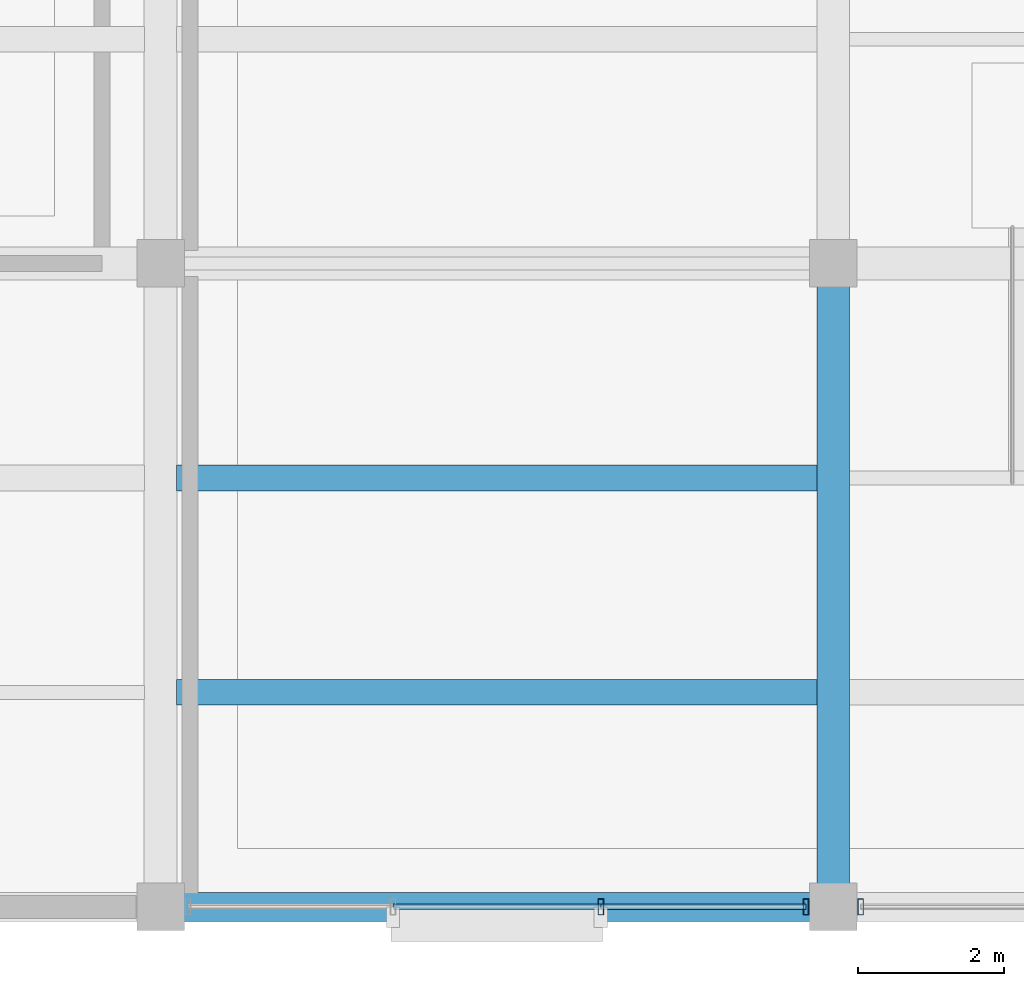
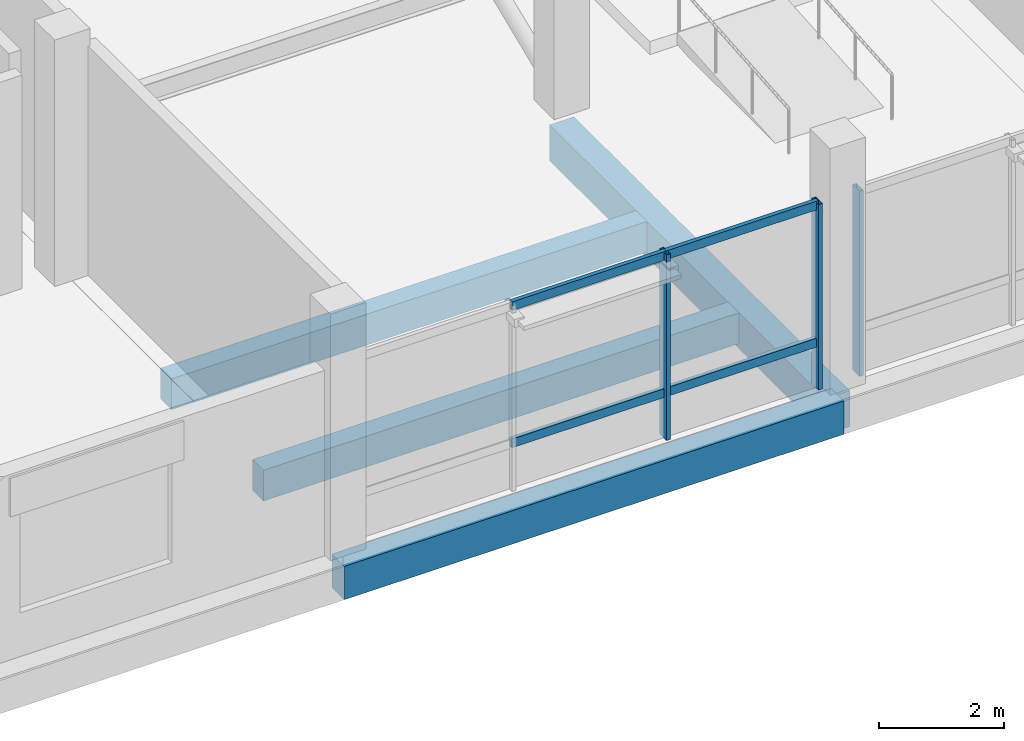
# One storey, part 11 of 71: 7 members, 4 beams, 2 elements without a shape of their own.
"""IFC4 building model written with IfcOpenShell, lengths in metres."""

from ifc_helpers import new_model, si_unit, direction, frame, origin, origin_2d, place, context, subcontext, project, spatial, rectangle, hollow_rectangle, extrude, material, layer, layer_set, material_profile, profile_set, type_object, element, aggregate, save


model = new_model("IFC4")

# Units and contexts
model_context = context("Model", 3, precision=1e-05, world=origin(), true_north=direction((0.0, 1.0)))
body_context = subcontext(model_context, "Body", "Model", "MODEL_VIEW")
ifc_project = project(units=[si_unit("LENGTHUNIT", "METRE"), si_unit("AREAUNIT", "SQUARE_METRE"), si_unit("VOLUMEUNIT", "CUBIC_METRE"), si_unit("PLANEANGLEUNIT", "RADIAN"), si_unit("MASSUNIT", "GRAM", prefix="KILO")], contexts=[model_context])

# Site, building, storey
site_placement = place(None, origin())
site = spatial("IfcSite", under=ifc_project, at=site_placement, CompositionType="ELEMENT")
building_placement = place(site_placement, origin())
building = spatial("IfcBuilding", under=site, at=building_placement, Name="Meriwether Solvik Hall", CompositionType="ELEMENT")
storey_placement = place(building_placement, frame((0.0, 0.0, 5.10009765625)))
storey = spatial("IfcBuildingStorey", under=building, at=storey_placement, Name="L01", CompositionType="ELEMENT", Elevation=5.10009765625)

# Beams
ifc_material_1 = material(Name="Concrete C40/50", Category="concrete")
ifc_material_profile_1 = material_profile(ifc_material_1, rectangle(XDim=0.35009765625, YDim=0.60009765625, at=origin_2d()), Name="RCB-350X600")
ifc_profile_set_1 = profile_set([ifc_material_profile_1], Name="Concrete C40/50")
beam_type_1 = type_object("IfcBeamType", Name="BM-RC-350X600", PredefinedType="JOIST", material=ifc_profile_set_1)
for number, where, z_axis, x_axis, name in (
    (1, (59.6201171875, 8.13330078125, -0.60009765625), (1.0, 0.0, 0.0), (0.0, 1.0, 0.0), "Secondary Floor Joist 7/A_J1 (L01)"),
    (2, (59.6201171875, 11.066650390625, -0.60009765625), (1.0, 0.0, 0.0), (0.0, 1.0, 0.0), "Secondary Floor Joist 7/A_J2 (L01)"),
):
    element("IfcBeam", number, at=place(storey_placement, frame(where, z_axis=z_axis, x_axis=x_axis)), inside=storey, type_object=beam_type_1, Name=name, PredefinedType="JOIST", context=body_context, shape_type="SweptSolid", body=[
        extrude(rectangle(XDim=0.35009765625, YDim=0.60009765625, at=origin_2d()), origin(), (0.0, 0.0, 1.0), 8.759765625),
    ])
ifc_material_2 = material(Name="Concrete C40/50", Category="concrete")
ifc_material_profile_2 = material_profile(ifc_material_2, rectangle(XDim=0.39990234375, YDim=0.64990234375, at=origin_2d()), Name="RCB-400X650")
ifc_profile_set_2 = profile_set([ifc_material_profile_2], Name="Concrete C40/50")
beam_type_2 = type_object("IfcBeamType", Name="BM-RC-400X650", PredefinedType="SPANDREL", material=ifc_profile_set_2)
beam_1_placement = place(storey_placement, frame((59.39990234375, 5.199951171875, -0.625), z_axis=(1.0, 0.0, 0.0), x_axis=(0.0, 1.0, 0.0)))
element("IfcBeam", 3, at=beam_1_placement, inside=storey, type_object=beam_type_2, Name="Podium Girder A:7-8 (L01)", PredefinedType="SPANDREL", context=body_context, shape_type="SweptSolid", body=[
    extrude(rectangle(XDim=0.39990234375, YDim=0.64990234375, at=origin_2d()), origin(), (0.0, 0.0, 1.0), 9.2001953125),
])
ifc_material_3 = material(Name="Concrete C40/50", Category="concrete")
ifc_material_profile_3 = material_profile(ifc_material_3, rectangle(XDim=0.449951171875, YDim=0.699951171875, at=origin_2d()), Name="RCB-450X700")
ifc_profile_set_3 = profile_set([ifc_material_profile_3], Name="Concrete C40/50")
beam_type_3 = type_object("IfcBeamType", Name="BM-RC-450X700", PredefinedType="BEAM", material=ifc_profile_set_3)
beam_2_placement = place(storey_placement, frame((68.60009765625, 5.199951171875, -0.650146484375), z_axis=(0.0, 1.0, 0.0), x_axis=(-1.0, 0.0, 0.0)))
element("IfcBeam", 4, at=beam_2_placement, inside=storey, type_object=beam_type_3, Name="Podium Girder 8:A-B (L01)", PredefinedType="BEAM", context=body_context, shape_type="SweptSolid", body=[
    extrude(rectangle(XDim=0.449951171875, YDim=0.699951171875, at=origin_2d()), origin(), (0.0, 0.0, 1.0), 8.800048828125),
])

# Curtain wall, members
ifc_material_4 = material(Name="Thermally Broken Anodised Aluminium 6063-T6 and Low-E Glass", Category="aluminium")
ifc_layer = layer(ifc_material_4, 0.179931640625)
ifc_layer_set = layer_set([ifc_layer], Name="Thermally Broken Anodised Aluminium 6063-T6 and Low-E Glass")
curtain_wall_type = type_object("IfcCurtainWallType", Name="CW-SF-POD-B", PredefinedType="USERDEFINED", material=ifc_layer_set)
curtain_wall_1_placement = place(storey_placement, origin())
curtain_wall_1 = element("IfcCurtainWall", 5, at=curtain_wall_1_placement, inside=storey, type_object=curtain_wall_type, Name="Curtain Wall wing_XA_7_6 (L01)", ObjectType="STICK STOREFRONT GLAZING", PredefinedType="USERDEFINED")
ifc_material_5 = material(Name="Anodised Aluminium 6063-T6", Category="aluminium")
ifc_material_profile_4 = material_profile(ifc_material_5, hollow_rectangle(XDim=0.074951171875, YDim=0.219970703125, WallThickness=0.005615234375, at=origin_2d()), Name="CWM-75X220")
ifc_profile_set_4 = profile_set([ifc_material_profile_4], Name="Anodised Aluminium 6063-T6")
member_type_1 = type_object("IfcMemberType", Name="CW-MUL-75X220", PredefinedType="MULLION", material=ifc_profile_set_4)
member_1_placement = place(storey_placement, frame((68.22509765625, 5.199951171875, 0.0), z_axis=(0.0, 0.0, 1.0), x_axis=(-1.0, 0.0, 0.0)))
member_1 = element("IfcMember", 6, at=member_1_placement, type_object=member_type_1, Name="Curtain Wall Mullion 1", PredefinedType="MULLION", context=body_context, shape_type="SweptSolid", body=[
    extrude(hollow_rectangle(XDim=0.074951171875, YDim=0.219970703125, WallThickness=0.005615234375, at=origin_2d()), origin(), (0.0, 0.0, 1.0), 3.60986328125),
])
member_2_placement = place(storey_placement, frame((65.4208984375, 5.199951171875, 0.0), z_axis=(0.0, 0.0, 1.0), x_axis=(-1.0, 0.0, 0.0)))
member_2 = element("IfcMember", 7, at=member_2_placement, type_object=member_type_1, Name="Curtain Wall Mullion 2", PredefinedType="MULLION", context=body_context, shape_type="SweptSolid", body=[
    extrude(hollow_rectangle(XDim=0.074951171875, YDim=0.219970703125, WallThickness=0.005615234375, at=origin_2d()), origin(), (0.0, 0.0, 1.0), 3.60986328125),
])

# Curtain wall, member
curtain_wall_2_placement = place(storey_placement, origin())
curtain_wall_2 = element("IfcCurtainWall", 8, at=curtain_wall_2_placement, inside=storey, type_object=curtain_wall_type, Name="Curtain Wall wing_XA_8_7 (L01)", ObjectType="STICK STOREFRONT GLAZING", PredefinedType="USERDEFINED")
member_3_placement = place(storey_placement, frame((68.97509765625, 5.199951171875, 0.0), z_axis=(0.0, 0.0, 1.0), x_axis=(-1.0, 0.0, 0.0)))
member_3 = element("IfcMember", 9, at=member_3_placement, type_object=member_type_1, Name="Curtain Wall Mullion 4", PredefinedType="MULLION", context=body_context, shape_type="SweptSolid", body=[
    extrude(hollow_rectangle(XDim=0.074951171875, YDim=0.219970703125, WallThickness=0.005615234375, at=origin_2d()), origin(), (0.0, 0.0, 1.0), 3.60986328125),
])
aggregate(curtain_wall_2, [member_3])

# Member
ifc_material_6 = material(Name="Anodised Aluminium 6063-T6", Category="aluminium")
ifc_material_profile_5 = material_profile(ifc_material_6, hollow_rectangle(XDim=0.074951171875, YDim=0.169921875, WallThickness=0.005615234375, at=origin_2d()), Name="CWT-75X170")
ifc_profile_set_5 = profile_set([ifc_material_profile_5], Name="Anodised Aluminium 6063-T6")
member_type_2 = type_object("IfcMemberType", Name="CW-TRN-75X170", PredefinedType="USERDEFINED", material=ifc_profile_set_5)
member_4_placement = place(storey_placement, frame((68.22509765625, 5.199951171875, 0.8798828125), z_axis=(-1.0, 0.0, 0.0), x_axis=(0.0, -1.0, 0.0)))
member_4 = element("IfcMember", 10, at=member_4_placement, type_object=member_type_2, Name="Curtain Wall Transom 1-sill", ObjectType="TRANSOM", PredefinedType="USERDEFINED", context=body_context, shape_type="SweptSolid", body=[
    extrude(hollow_rectangle(XDim=0.074951171875, YDim=0.169921875, WallThickness=0.005615234375, at=origin_2d()), origin(), (0.0, 0.0, 1.0), 2.80419921875),
])

member_5_placement = place(storey_placement, frame((68.22509765625, 5.199951171875, 3.5498046875), z_axis=(-1.0, 0.0, 0.0), x_axis=(0.0, -1.0, 0.0)))
member_5 = element("IfcMember", 11, at=member_5_placement, type_object=member_type_2, Name="Curtain Wall Transom 1-head", ObjectType="TRANSOM", PredefinedType="USERDEFINED", context=body_context, shape_type="SweptSolid", body=[
    extrude(hollow_rectangle(XDim=0.074951171875, YDim=0.169921875, WallThickness=0.005615234375, at=origin_2d()), origin(), (0.0, 0.0, 1.0), 2.80419921875),
])

member_6_placement = place(storey_placement, frame((65.4208984375, 5.199951171875, 0.8798828125), z_axis=(-1.0, 0.0, 0.0), x_axis=(0.0, -1.0, 0.0)))
member_6 = element("IfcMember", 12, at=member_6_placement, type_object=member_type_2, Name="Curtain Wall Transom 2-sill", ObjectType="TRANSOM", PredefinedType="USERDEFINED", context=body_context, shape_type="SweptSolid", body=[
    extrude(hollow_rectangle(XDim=0.074951171875, YDim=0.169921875, WallThickness=0.005615234375, at=origin_2d()), origin(), (0.0, 0.0, 1.0), 2.841796875),
])

member_7_placement = place(storey_placement, frame((65.4208984375, 5.199951171875, 3.5498046875), z_axis=(-1.0, 0.0, 0.0), x_axis=(0.0, -1.0, 0.0)))
member_7 = element("IfcMember", 13, at=member_7_placement, type_object=member_type_2, Name="Curtain Wall Transom 2-head", ObjectType="TRANSOM", PredefinedType="USERDEFINED", context=body_context, shape_type="SweptSolid", body=[
    extrude(hollow_rectangle(XDim=0.074951171875, YDim=0.169921875, WallThickness=0.005615234375, at=origin_2d()), origin(), (0.0, 0.0, 1.0), 2.841796875),
])

aggregate(curtain_wall_1, [member_1, member_2, member_4, member_5, member_6, member_7])

save(model, "model.ifc")
